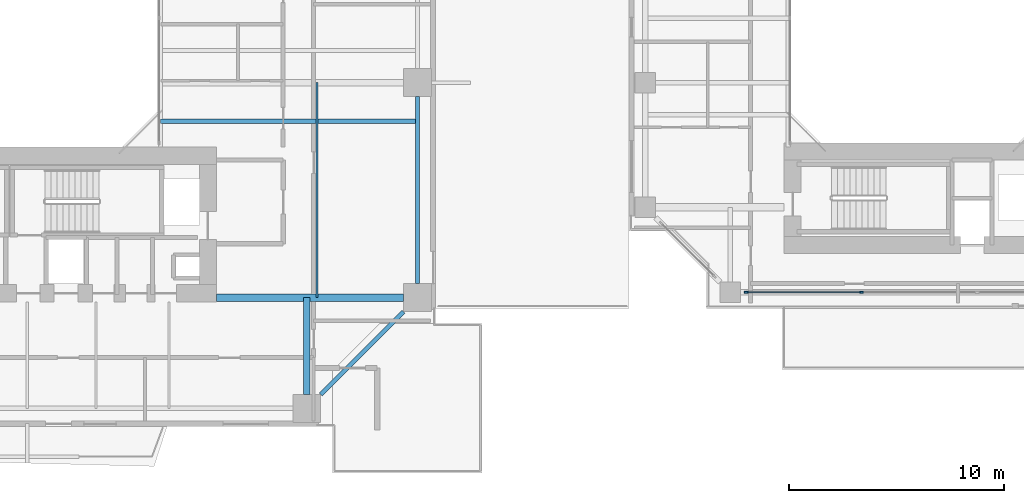
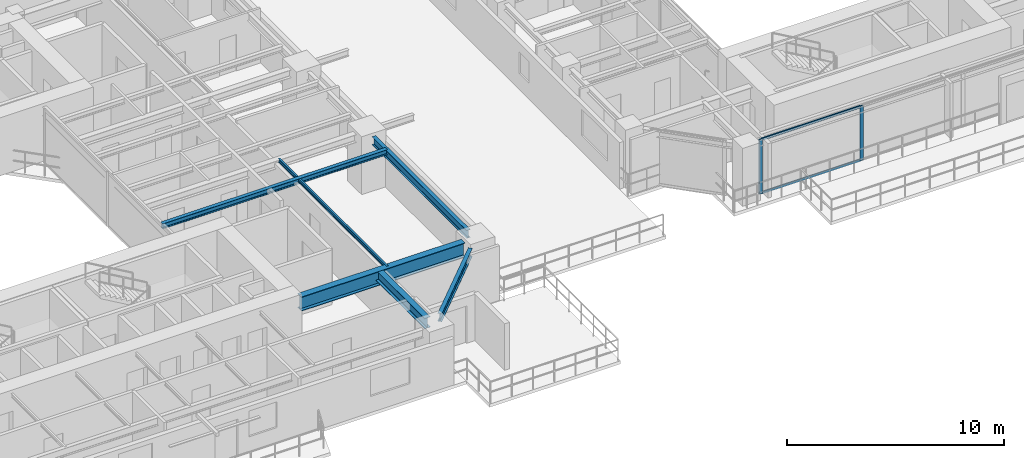
# One storey, part 4 of 22: 6 beams, 4 members, 1 element without a shape of its own.
"""IFC4 building model written with IfcOpenShell, lengths in metres."""

from ifc_helpers import new_model, si_unit, direction, frame, origin, origin_2d, place, context, subcontext, project, spatial, rectangle, i_section, extrude, source, transform, mapped, material, layer, layer_set, material_profile, profile_set, type_object, element, aggregate, save


model = new_model("IFC4")

# Units and contexts
model_context = context("Model", 3, precision=1e-05, world=origin(), true_north=direction((0.0, 1.0)))
body_context = subcontext(model_context, "Body", "Model", "MODEL_VIEW")
ifc_project = project(units=[si_unit("LENGTHUNIT", "METRE"), si_unit("AREAUNIT", "SQUARE_METRE"), si_unit("VOLUMEUNIT", "CUBIC_METRE"), si_unit("PLANEANGLEUNIT", "RADIAN"), si_unit("MASSUNIT", "GRAM", prefix="KILO"), si_unit("THERMODYNAMICTEMPERATUREUNIT", "KELVIN"), si_unit("POWERUNIT", "WATT")], contexts=[model_context])

# Site, building, storey
site_placement = place(None, origin())
site = spatial("IfcSite", under=ifc_project, at=site_placement, CompositionType="ELEMENT")
building_placement = place(site_placement, origin())
building = spatial("IfcBuilding", under=site, at=building_placement, Name="Qiaomeng Ring Towers", CompositionType="ELEMENT")
storey_placement = place(building_placement, frame((0.0, 0.0, 23.0)))
storey = spatial("IfcBuildingStorey", under=building, at=storey_placement, Name="L05", CompositionType="ELEMENT", Elevation=23.0)

# Beams
ifc_material_1 = material(Name="Steel Q355B", Category="steel")
ifc_material_profile_1 = material_profile(ifc_material_1, i_section(OverallWidth=0.199951171875, OverallDepth=0.449951171875, WebThickness=0.009033203125, FlangeThickness=0.013916015625, FilletRadius=0.01806640625, at=origin_2d()), Name="HN 450x200x9x14")
ifc_profile_set_1 = profile_set([ifc_material_profile_1], Name="Steel Q355B")
beam_type_1 = type_object("IfcBeamType", Name="STR-BM-HN450", PredefinedType="SPANDREL", material=ifc_profile_set_1)
shared_shape_1 = source(origin(), body_context, "Body", "SweptSolid", [
    extrude(i_section(OverallWidth=0.199951171875, OverallDepth=0.449951171875, WebThickness=0.009033203125, FlangeThickness=0.013916015625, FilletRadius=0.01806640625, at=origin_2d()), origin(), (0.0, 0.0, 1.0), 5.446533203125),
])
beam_1_placement = place(storey_placement, frame((32.6494140625, 5.499267578125, 2.844970703125), z_axis=(0.707106781187, 0.707106781187, 0.0), x_axis=(-0.707106781187, 0.707106781187, 0.0)))
element("IfcBeam", 1, at=beam_1_placement, inside=storey, type_object=beam_type_1, Name="L05 beam STR-SP-L05-T1-S2-E1", PredefinedType="SPANDREL", context=body_context, shape_type="MappedRepresentation", body=[
    mapped(shared_shape_1, transform((0.0, 0.0, 0.0), x_axis=(1.0, 0.0, 0.0), y_axis=(0.0, 1.0, 0.0), z_axis=(0.0, 0.0, 1.0), scale=1.0)),
])
shared_shape_2 = source(origin(), body_context, "Body", "SweptSolid", [
    extrude(i_section(OverallWidth=0.199951171875, OverallDepth=0.449951171875, WebThickness=0.009033203125, FlangeThickness=0.013916015625, FilletRadius=0.01806640625, at=origin_2d()), origin(), (0.0, 0.0, 1.0), 8.7021484375),
])
beam_2_placement = place(storey_placement, frame((37.14990234375, 10.64892578125, 2.844970703125), z_axis=(0.0, 1.0, 0.0), x_axis=(-1.0, 0.0, 0.0)))
element("IfcBeam", 2, at=beam_2_placement, inside=storey, type_object=beam_type_1, Name="L05 beam STR-SP-L05-T1-E1-E2", PredefinedType="SPANDREL", context=body_context, shape_type="MappedRepresentation", body=[
    mapped(shared_shape_2, transform((0.0, 0.0, 0.0), x_axis=(1.0, 0.0, 0.0), y_axis=(0.0, 1.0, 0.0), z_axis=(0.0, 0.0, 1.0), scale=1.0)),
])
ifc_material_2 = material(Name="Steel Q390GJC", Category="steel")
ifc_material_profile_2 = material_profile(ifc_material_2, i_section(OverallWidth=0.35009765625, OverallDepth=0.800048828125, WebThickness=0.01611328125, FlangeThickness=0.028076171875, at=origin_2d()), Name="WH 800x350x16x28")
ifc_profile_set_2 = profile_set([ifc_material_profile_2], Name="Steel Q390GJC")
beam_type_2 = type_object("IfcBeamType", Name="STR-BM-WH800", PredefinedType="BEAM", material=ifc_profile_set_2)
shared_shape_3 = source(origin(), body_context, "Body", "SweptSolid", [
    extrude(i_section(OverallWidth=0.35009765625, OverallDepth=0.800048828125, WebThickness=0.01611328125, FlangeThickness=0.028076171875, at=origin_2d()), origin(), (0.0, 0.0, 1.0), 8.700927734375),
])
beam_3_placement = place(storey_placement, frame((27.800048828125, 10.0, 2.669921875), z_axis=(1.0, 0.0, 0.0), x_axis=(0.0, 1.0, 0.0)))
element("IfcBeam", 3, at=beam_3_placement, inside=storey, type_object=beam_type_2, Name="L05 beam STR-BM-L05-T1-RAD-E1", PredefinedType="BEAM", context=body_context, shape_type="MappedRepresentation", body=[
    mapped(shared_shape_3, transform((0.0, 0.0, 0.0), x_axis=(1.0, 0.0, 0.0), y_axis=(0.0, 1.0, 0.0), z_axis=(0.0, 0.0, 1.0), scale=1.0)),
])
ifc_material_profile_3 = material_profile(ifc_material_1, i_section(OverallWidth=0.300048828125, OverallDepth=0.587890625, WebThickness=0.011962890625, FlangeThickness=0.02001953125, FilletRadius=0.028076171875, at=origin_2d()), Name="HM 588x300x12x20")
ifc_profile_set_3 = profile_set([ifc_material_profile_3], Name="Steel Q355B")
beam_type_3 = type_object("IfcBeamType", Name="STR-BM-HM588", PredefinedType="BEAM", material=ifc_profile_set_3)
shared_shape_4 = source(origin(), body_context, "Body", "SweptSolid", [
    extrude(i_section(OverallWidth=0.300048828125, OverallDepth=0.587890625, WebThickness=0.011962890625, FlangeThickness=0.02001953125, FilletRadius=0.028076171875, at=origin_2d()), origin(), (0.0, 0.0, 1.0), 4.5009765625),
])
beam_4_placement = place(storey_placement, frame((32.0, 5.4990234375, 2.77587890625), z_axis=(0.0, 1.0, 0.0), x_axis=(-1.0, 0.0, 0.0)))
element("IfcBeam", 4, at=beam_4_placement, inside=storey, type_object=beam_type_3, Name="L05 beam STR-BM-L05-T1-RAD-S2", PredefinedType="BEAM", context=body_context, shape_type="MappedRepresentation", body=[
    mapped(shared_shape_4, transform((0.0, 0.0, 0.0), x_axis=(1.0, 0.0, 0.0), y_axis=(0.0, 1.0, 0.0), z_axis=(0.0, 0.0, 1.0), scale=1.0)),
])
ifc_material_profile_4 = material_profile(ifc_material_1, i_section(OverallWidth=0.199951171875, OverallDepth=0.2939453125, WebThickness=0.008056640625, FlangeThickness=0.011962890625, FilletRadius=0.01806640625, at=origin_2d()), Name="HM 294x200x8x12")
ifc_profile_set_4 = profile_set([ifc_material_profile_4], Name="Steel Q355B")
beam_type_4 = type_object("IfcBeamType", Name="STR-BM-HM294", PredefinedType="JOIST", material=ifc_profile_set_4)
shared_shape_5 = source(origin(), body_context, "Body", "SweptSolid", [
    extrude(i_section(OverallWidth=0.199951171875, OverallDepth=0.2939453125, WebThickness=0.008056640625, FlangeThickness=0.011962890625, FilletRadius=0.01806640625, at=origin_2d()), origin(), (0.0, 0.0, 1.0), 11.949951171875),
])
beam_5_placement = place(storey_placement, frame((25.199951171875, 18.199951171875, 2.923095703125), z_axis=(1.0, 0.0, 0.0), x_axis=(0.0, 1.0, 0.0)))
element("IfcBeam", 5, at=beam_5_placement, inside=storey, type_object=beam_type_4, Name="L05 beam STR-JST-L05-T1E-1", PredefinedType="JOIST", context=body_context, shape_type="MappedRepresentation", body=[
    mapped(shared_shape_5, transform((0.0, 0.0, 0.0), x_axis=(1.0, 0.0, 0.0), y_axis=(0.0, 1.0, 0.0), z_axis=(0.0, 0.0, 1.0), scale=1.0)),
])
ifc_material_profile_5 = material_profile(ifc_material_1, i_section(OverallWidth=0.10009765625, OverallDepth=0.199951171875, WebThickness=0.005615234375, FlangeThickness=0.008056640625, FilletRadius=0.010986328125, at=origin_2d()), Name="HN 200x100x5.5x8")
ifc_profile_set_5 = profile_set([ifc_material_profile_5], Name="Steel Q355B")
beam_type_5 = type_object("IfcBeamType", Name="STR-BM-HN200", PredefinedType="JOIST", material=ifc_profile_set_5)
shared_shape_6 = source(origin(), body_context, "Body", "SweptSolid", [
    extrude(i_section(OverallWidth=0.10009765625, OverallDepth=0.199951171875, WebThickness=0.005615234375, FlangeThickness=0.008056640625, FilletRadius=0.010986328125, at=origin_2d()), origin(), (0.0, 0.0, 1.0), 10.0),
])
beam_6_placement = place(storey_placement, frame((32.47509765625, 10.0, 2.969970703125), z_axis=(0.0, 1.0, 0.0), x_axis=(-1.0, 0.0, 0.0)))
element("IfcBeam", 6, at=beam_6_placement, inside=storey, type_object=beam_type_5, Name="L05 beam STR-JST-L05-T1C-ES", PredefinedType="JOIST", context=body_context, shape_type="MappedRepresentation", body=[
    mapped(shared_shape_6, transform((0.0, 0.0, 0.0), x_axis=(1.0, 0.0, 0.0), y_axis=(0.0, 1.0, 0.0), z_axis=(0.0, 0.0, 1.0), scale=1.0)),
])

# Curtain wall, members
ifc_material_3 = material(Name="Fluorocarbon dark-grey aluminium", Category="aluminium")
ifc_layer = layer(ifc_material_3, 0.14990234375, Name="Fluorocarbon dark-grey aluminium")
ifc_layer_set = layer_set([ifc_layer], Name="Fluorocarbon dark-grey aluminium")
curtain_wall_type = type_object("IfcCurtainWallType", Name="ARC-CW-5", PredefinedType="NOTDEFINED", material=ifc_layer_set)
curtain_wall_placement = place(storey_placement, origin())
curtain_wall = element("IfcCurtainWall", 7, at=curtain_wall_placement, inside=storey, type_object=curtain_wall_type, Name="L05 Curtain Wall CW5", PredefinedType="NOTDEFINED")
ifc_material_profile_6 = material_profile(ifc_material_3, rectangle(XDim=0.070068359375, YDim=0.179931640625, at=origin_2d()), Name="ALU MULL 70x180")
ifc_profile_set_6 = profile_set([ifc_material_profile_6], Name="Fluorocarbon dark-grey aluminium")
member_type_1 = type_object("IfcMemberType", Name="ARC-CWM-160", PredefinedType="MULLION", material=ifc_profile_set_6)
shared_shape_7 = source(origin(), body_context, "Body", "SweptSolid", [
    extrude(rectangle(XDim=0.070068359375, YDim=0.179931640625, at=origin_2d()), origin(), (0.0, 0.0, 1.0), 3.070068359375),
])
member_1_placement = place(storey_placement, frame((52.449951171875, 10.25, 0.0), z_axis=(0.0, 0.0, 1.0), x_axis=(0.0, 1.0, 0.0)))
member_1 = element("IfcMember", 8, at=member_1_placement, type_object=member_type_1, Name="CW5 mullion 1", PredefinedType="MULLION", context=body_context, shape_type="MappedRepresentation", body=[
    mapped(shared_shape_7, transform((0.0, 0.0, 0.0), x_axis=(1.0, 0.0, 0.0), y_axis=(0.0, 1.0, 0.0), z_axis=(0.0, 0.0, 1.0), scale=1.0)),
])
member_2_placement = place(storey_placement, frame((57.804931640625, 10.25, 0.0), z_axis=(0.0, 0.0, 1.0), x_axis=(0.0, 1.0, 0.0)))
member_2 = element("IfcMember", 9, at=member_2_placement, type_object=member_type_1, Name="CW5 mullion 2", PredefinedType="MULLION", context=body_context, shape_type="MappedRepresentation", body=[
    mapped(shared_shape_7, transform((0.0, 0.0, 0.0), x_axis=(1.0, 0.0, 0.0), y_axis=(0.0, 1.0, 0.0), z_axis=(0.0, 0.0, 1.0), scale=1.0)),
])
ifc_material_profile_7 = material_profile(ifc_material_3, rectangle(XDim=0.06494140625, YDim=0.1298828125, at=origin_2d()), Name="ALU TRAN 65x130")
ifc_profile_set_7 = profile_set([ifc_material_profile_7], Name="Fluorocarbon dark-grey aluminium")
member_type_2 = type_object("IfcMemberType", Name="ARC-CWT-120", PredefinedType="USERDEFINED", material=ifc_profile_set_7)
shared_shape_8 = source(origin(), body_context, "Body", "SweptSolid", [
    extrude(rectangle(XDim=0.06494140625, YDim=0.1298828125, at=origin_2d()), origin(), (0.0, 0.0, 1.0), 5.284912109375),
])
member_3_placement = place(storey_placement, frame((52.485107421875, 10.25, 0.032470703125), z_axis=(1.0, 0.0, 0.0), x_axis=(0.0, 1.0, 0.0)))
member_3 = element("IfcMember", 10, at=member_3_placement, type_object=member_type_2, Name="CW5 transom 1.1", ObjectType="TRANSOM", PredefinedType="USERDEFINED", context=body_context, shape_type="MappedRepresentation", body=[
    mapped(shared_shape_8, transform((0.0, 0.0, 0.0), x_axis=(1.0, 0.0, 0.0), y_axis=(0.0, 1.0, 0.0), z_axis=(0.0, 0.0, 1.0), scale=1.0)),
])
member_4_placement = place(storey_placement, frame((52.485107421875, 10.25, 3.03759765625), z_axis=(1.0, 0.0, 0.0), x_axis=(0.0, 1.0, 0.0)))
member_4 = element("IfcMember", 11, at=member_4_placement, type_object=member_type_2, Name="CW5 transom 1.2", ObjectType="TRANSOM", PredefinedType="USERDEFINED", context=body_context, shape_type="MappedRepresentation", body=[
    mapped(shared_shape_8, transform((0.0, 0.0, 0.0), x_axis=(1.0, 0.0, 0.0), y_axis=(0.0, 1.0, 0.0), z_axis=(0.0, 0.0, 1.0), scale=1.0)),
])
aggregate(curtain_wall, [member_1, member_2, member_3, member_4])

save(model, "model.ifc")
